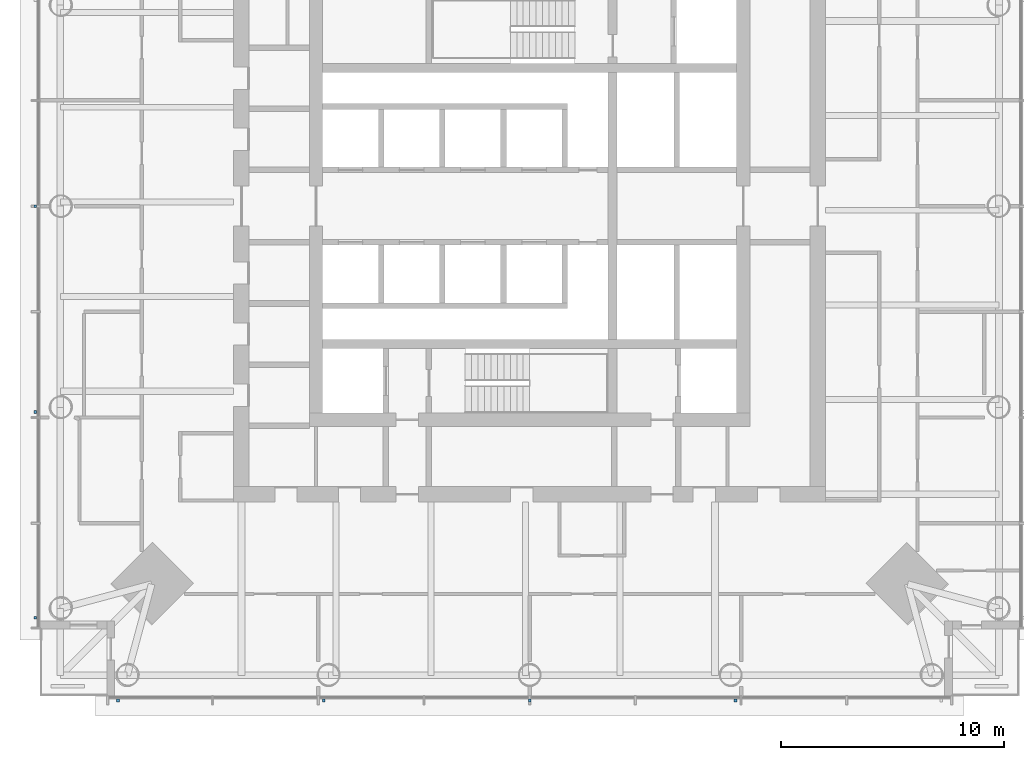
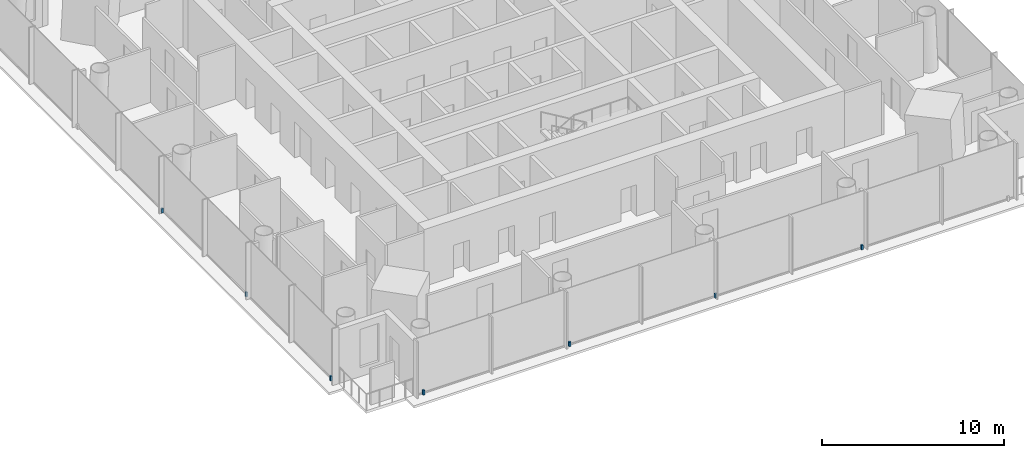
# One storey, part 18 of 27: 7 discrete accessories.
"""IFC4 building model written with IfcOpenShell, lengths in metres."""

from ifc_helpers import new_model, si_unit, direction, frame, origin, origin_2d, place, context, subcontext, project, spatial, rectangle, extrude, material, type_object, element, save


model = new_model("IFC4")

# Units and contexts
model_context = context("Model", 3, precision=1e-05, world=origin(), true_north=direction((0.0, 1.0)))
body_context = subcontext(model_context, "Body", "Model", "MODEL_VIEW")
ifc_project = project(units=[si_unit("LENGTHUNIT", "METRE"), si_unit("AREAUNIT", "SQUARE_METRE"), si_unit("VOLUMEUNIT", "CUBIC_METRE"), si_unit("PLANEANGLEUNIT", "RADIAN"), si_unit("MASSUNIT", "GRAM", prefix="KILO")], contexts=[model_context])

# Site, building, storey
site_placement = place(None, origin())
site = spatial("IfcSite", under=ifc_project, at=site_placement, CompositionType="ELEMENT")
building_placement = place(site_placement, origin())
building = spatial("IfcBuilding", under=site, at=building_placement, Name="Ostroluk Exchange", CompositionType="ELEMENT")
storey_placement = place(building_placement, frame((0.0, 0.0, 112.199951171875)))
storey = spatial("IfcBuildingStorey", under=building, at=storey_placement, Name="L28", CompositionType="ELEMENT", Elevation=112.199951171875)

# Discrete accessories
ifc_material = material(Name="Stainless steel", Category="steel")
discrete_accessory_type = type_object("IfcDiscreteAccessoryType", Name="Fall-arrest anchor PN-EN 795 type C", PredefinedType="USERDEFINED", material=ifc_material)
for number, where, z_axis, x_axis, name in (
    (1, (26.5, 23.7900390625, 0.0), (0.0, 0.0, 1.0), (1.0, 0.0, 0.0), "Fall-arrest anchor L28 south 1"),
    (2, (35.75, 23.7900390625, 0.0), (0.0, 0.0, 1.0), (1.0, 0.0, 0.0), "Fall-arrest anchor L28 south 2"),
    (3, (45.0, 23.7900390625, 0.0), (0.0, 0.0, 1.0), (1.0, 0.0, 0.0), "Fall-arrest anchor L28 south 3"),
    (4, (54.25, 23.7900390625, 0.0), (0.0, 0.0, 1.0), (1.0, 0.0, 0.0), "Fall-arrest anchor L28 south 4"),
    (5, (22.7900390625, 27.5, 0.0), (0.0, 0.0, 1.0), (1.0, 0.0, 0.0), "Fall-arrest anchor L28 west 1"),
    (6, (22.7900390625, 36.75, 0.0), (0.0, 0.0, 1.0), (1.0, 0.0, 0.0), "Fall-arrest anchor L28 west 2"),
    (7, (22.7900390625, 46.0, 0.0), (0.0, 0.0, 1.0), (1.0, 0.0, 0.0), "Fall-arrest anchor L28 west 3"),
):
    element("IfcDiscreteAccessory", number, at=place(storey_placement, frame(where, z_axis=z_axis, x_axis=x_axis)), inside=storey, type_object=discrete_accessory_type, Name=name, ObjectType="FALL ARREST ANCHOR", PredefinedType="USERDEFINED", context=body_context, shape_type="SweptSolid", body=[
        extrude(rectangle(XDim=0.1201171875, YDim=0.1201171875, at=origin_2d()), origin(), (0.0, 0.0, 1.0), 0.300048828125),
    ])

save(model, "model.ifc")
